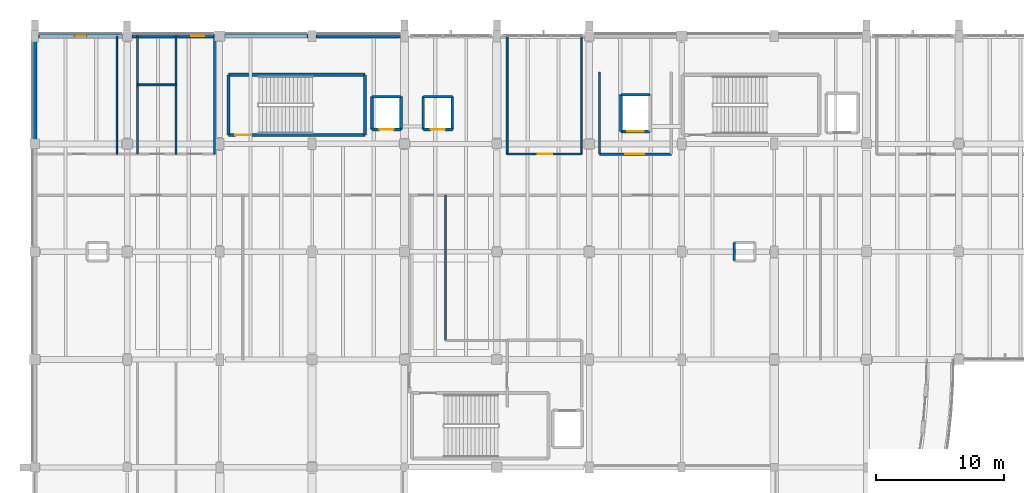
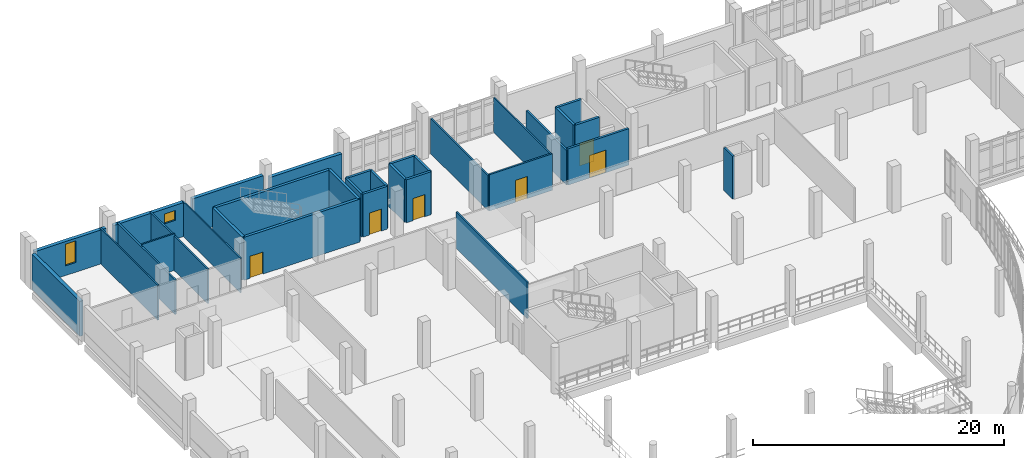
# One storey, part 110 of 124: 32 walls, 6 doors, 2 windows, 8 openings.
"""IFC4 building model written with IfcOpenShell, lengths in metres."""

from ifc_helpers import new_model, si_unit, direction, frame, frame_2d, origin, place, context, subcontext, project, spatial, rectangle, extrude, material, layer, layer_set, type_object, element, fill, save


model = new_model("IFC4")

# Units and contexts
model_context = context("Model", 3, precision=1e-05, world=origin(), true_north=direction((0.0, 1.0)))
body_context = subcontext(model_context, "Body", "Model", "MODEL_VIEW")
ifc_project = project(units=[si_unit("LENGTHUNIT", "METRE"), si_unit("AREAUNIT", "SQUARE_METRE"), si_unit("VOLUMEUNIT", "CUBIC_METRE"), si_unit("PLANEANGLEUNIT", "RADIAN"), si_unit("MASSUNIT", "GRAM", prefix="KILO")], contexts=[model_context])

# Site, building, storey
site_placement = place(None, origin())
site = spatial("IfcSite", under=ifc_project, at=site_placement, CompositionType="ELEMENT")
building_placement = place(site_placement, origin())
building = spatial("IfcBuilding", under=site, at=building_placement, Name="Kalluvel Institute of Natural Sciences", CompositionType="ELEMENT")
storey_placement = place(building_placement, frame((0.0, 0.0, 9.89990234375)))
storey = spatial("IfcBuildingStorey", under=building, at=storey_placement, Name="L02", CompositionType="ELEMENT", Elevation=9.89990234375)

# Wall, opening, door
ifc_material_1 = material(Name="Concrete M40", Category="concrete")
ifc_layer_1 = layer(ifc_material_1, 0.25)
ifc_layer_set_1 = layer_set([ifc_layer_1], Name="Concrete M40")
wall_type_1 = type_object("IfcWallType", Name="WL-CORE-250", PredefinedType="SHEAR", material=ifc_layer_set_1)
wall_1_placement = place(storey_placement, frame((29.0849609375, 120.284912109375, 0.0), z_axis=(0.0, 0.0, 1.0), x_axis=(1.0, 0.0, 0.0)))
wall_1 = element("IfcWall", 1, at=wall_1_placement, inside=storey, type_object=wall_type_1, Name="ST1 L02 core wall S", PredefinedType="SHEAR", context=body_context, shape_type="SweptSolid", body=[
    extrude(rectangle(XDim=10.630126953125, YDim=0.25, at=frame_2d((5.31494140625, 0.0))), origin(), (0.0, 0.0, 1.0), 4.175048828125),
])
opening_1_placement = place(wall_1_placement, frame((0.550048828125, 0.0, 0.0)))
opening_1 = element("IfcOpeningElement", 2, at=opening_1_placement, cuts=wall_1, Name="Opening DS-004", PredefinedType="OPENING", context=body_context, shape_type="SweptSolid", body=[
    extrude(rectangle(XDim=1.199951171875, YDim=2.14990234375, at=frame_2d((0.60009765625, 1.074951171875))), frame((0.0, 0.135009765625, 0.0), z_axis=(0.0, -1.0, 0.0), x_axis=(1.0, 0.0, 0.0)), (0.0, 0.0, 1.0), 0.27001953125),
])
ifc_material_2 = material(Name="Galvanized Fire-Rated Steel", Category="steel")
door_type_1 = type_object("IfcDoorType", Name="DR-ST-1200", OperationType="NOTDEFINED", PredefinedType="DOOR", material=ifc_material_2)
door_1_placement = place(opening_1_placement, origin())
door_1 = element("IfcDoor", 3, at=door_1_placement, inside=storey, type_object=door_type_1, Name="ST1 L02 protected stair door DS-004", OperationType="SINGLE_SWING_RIGHT", OverallHeight=2.14990234375, OverallWidth=1.199951171875, PredefinedType="DOOR", context=body_context, shape_type="SweptSolid", body=[
    extrude(rectangle(XDim=1.199951171875, YDim=2.14990234375, at=frame_2d((0.60009765625, 1.074951171875))), frame((0.0, 0.02490234375, 0.0), z_axis=(0.0, -1.0, 0.0), x_axis=(1.0, 0.0, 0.0)), (0.0, 0.0, 1.0), 0.050048828125),
])
fill(opening_1, door_1)

# Walls
wall_2_placement = place(storey_placement, frame((39.715087890625, 120.284912109375, 0.0), z_axis=(0.0, 0.0, 1.0), x_axis=(0.0, 1.0, 0.0)))
element("IfcWall", 4, at=wall_2_placement, inside=storey, type_object=wall_type_1, Name="ST1 L02 core wall E", PredefinedType="SHEAR", context=body_context, shape_type="SweptSolid", body=[
    extrude(rectangle(XDim=4.7001953125, YDim=0.25, at=frame_2d((2.35009765625, 0.0))), origin(), (0.0, 0.0, 1.0), 4.175048828125),
])
wall_3_placement = place(storey_placement, frame((39.715087890625, 124.985107421875, 0.0), z_axis=(0.0, 0.0, 1.0), x_axis=(-1.0, 0.0, 0.0)))
element("IfcWall", 5, at=wall_3_placement, inside=storey, type_object=wall_type_1, Name="ST1 L02 core wall N", PredefinedType="SHEAR", context=body_context, shape_type="SweptSolid", body=[
    extrude(rectangle(XDim=10.630126953125, YDim=0.25, at=frame_2d((5.31494140625, 0.0))), origin(), (0.0, 0.0, 1.0), 4.175048828125),
])
wall_4_placement = place(storey_placement, frame((29.0849609375, 124.985107421875, 0.0), z_axis=(0.0, 0.0, 1.0), x_axis=(0.0, -1.0, 0.0)))
element("IfcWall", 6, at=wall_4_placement, inside=storey, type_object=wall_type_1, Name="ST1 L02 core wall W", PredefinedType="SHEAR", context=body_context, shape_type="SweptSolid", body=[
    extrude(rectangle(XDim=4.7001953125, YDim=0.25, at=frame_2d((2.35009765625, 0.0))), origin(), (0.0, 0.0, 1.0), 4.175048828125),
])

# Wall, opening, window
ifc_material_3 = material(Name="Sadarahalli Grey Granite Ashlar Concrete M40", Category="masonry")
ifc_layer_2 = layer(ifc_material_3, 0.320068359375)
ifc_layer_set_2 = layer_set([ifc_layer_2], Name="Sadarahalli Grey Granite Ashlar Concrete M40")
wall_type_2 = type_object("IfcWallType", Name="WL-EXT-320", PredefinedType="SOLIDWALL", material=ifc_layer_set_2)
wall_5_placement = place(storey_placement, frame((14.280029296875, 128.0, 0.0), z_axis=(0.0, 0.0, 1.0), x_axis=(1.0, 0.0, 0.0)))
wall_5 = element("IfcWall", 7, at=wall_5_placement, inside=storey, type_object=wall_type_2, Name="L02 Sadarahalli granite exterior wall WL-EXT-L02-0028", PredefinedType="SOLIDWALL", context=body_context, shape_type="SweptSolid", body=[
    extrude(rectangle(XDim=6.56494140625, YDim=0.320068359375, at=frame_2d((3.282470703125, 0.0))), origin(), (0.0, 0.0, 1.0), 3.30517578125),
])
opening_2_placement = place(wall_5_placement, frame((2.8076171875, 0.0, 0.949951171875)))
opening_2 = element("IfcOpeningElement", 8, at=opening_2_placement, cuts=wall_5, Name="Opening W-15", PredefinedType="OPENING", context=body_context, shape_type="SweptSolid", body=[
    extrude(rectangle(XDim=0.949951171875, YDim=2.10009765625, at=frame_2d((0.47509765625, 1.050048828125))), frame((0.0, 0.169921875, 0.0), z_axis=(0.0, -1.0, 0.0), x_axis=(1.0, 0.0, 0.0)), (0.0, 0.0, 1.0), 0.340087890625),
])
ifc_material_4 = material(Name="Solar-Control Low-E Laminated Glass", Category="glass")
window_type_1 = type_object("IfcWindowType", Name="WN-LAN-095x210", PartitioningType="SINGLE_PANEL", PredefinedType="WINDOW", material=ifc_material_4)
window_1_placement = place(opening_2_placement, origin())
window_1 = element("IfcWindow", 9, at=window_1_placement, inside=storey, type_object=window_type_1, Name="L02 Gothic lancet window 15", OverallHeight=2.10009765625, OverallWidth=0.949951171875, PartitioningType="SINGLE_PANEL", PredefinedType="WINDOW", context=body_context, shape_type="SweptSolid", body=[
    extrude(rectangle(XDim=0.949951171875, YDim=2.10009765625, at=frame_2d((0.47509765625, 1.050048828125))), frame((0.0, 0.030029296875, 0.0), z_axis=(0.0, -1.0, 0.0), x_axis=(1.0, 0.0, 0.0)), (0.0, 0.0, 1.0), 0.06005859375),
])
fill(opening_2, window_1)

wall_6_placement = place(storey_placement, frame((21.554931640625, 128.0, 0.0), z_axis=(0.0, 0.0, 1.0), x_axis=(1.0, 0.0, 0.0)))
wall_6 = element("IfcWall", 10, at=wall_6_placement, inside=storey, type_object=wall_type_2, Name="L02 Sadarahalli granite exterior wall WL-EXT-L02-0029", PredefinedType="SOLIDWALL", context=body_context, shape_type="SweptSolid", body=[
    extrude(rectangle(XDim=6.465087890625, YDim=0.320068359375, at=frame_2d((3.232421875, 0.0))), origin(), (0.0, 0.0, 1.0), 3.30517578125),
])
opening_3_placement = place(wall_6_placement, frame((4.64990234375, 0.0, 1.85009765625)))
opening_3 = element("IfcOpeningElement", 11, at=opening_3_placement, cuts=wall_6, Name="Opening W-23", PredefinedType="OPENING", context=body_context, shape_type="SweptSolid", body=[
    extrude(rectangle(XDim=1.0, YDim=0.949951171875, at=frame_2d((0.5, 0.47509765625))), frame((0.0, 0.169921875, 0.0), z_axis=(0.0, -1.0, 0.0), x_axis=(1.0, 0.0, 0.0)), (0.0, 0.0, 1.0), 0.340087890625),
])
window_type_2 = type_object("IfcWindowType", Name="WN-HIGH-100x095", PartitioningType="SINGLE_PANEL", PredefinedType="WINDOW", material=ifc_material_4)
window_2_placement = place(opening_3_placement, origin())
window_2 = element("IfcWindow", 12, at=window_2_placement, inside=storey, type_object=window_type_2, Name="L02 Gothic lancet window 16", OverallHeight=0.949951171875, OverallWidth=1.0, PartitioningType="SINGLE_PANEL", PredefinedType="WINDOW", context=body_context, shape_type="SweptSolid", body=[
    extrude(rectangle(XDim=1.0, YDim=0.949951171875, at=frame_2d((0.5, 0.47509765625))), frame((0.0, 0.030029296875, 0.0), z_axis=(0.0, -1.0, 0.0), x_axis=(1.0, 0.0, 0.0)), (0.0, 0.0, 1.0), 0.06005859375),
])
fill(opening_3, window_2)

# Walls
wall_7_placement = place(storey_placement, frame((28.780029296875, 128.0, 0.0), z_axis=(0.0, 0.0, 1.0), x_axis=(1.0, 0.0, 0.0)))
element("IfcWall", 13, at=wall_7_placement, inside=storey, type_object=wall_type_2, Name="L02 Sadarahalli granite exterior wall WL-EXT-L02-0030", PredefinedType="SOLIDWALL", context=body_context, shape_type="SweptSolid", body=[
    extrude(rectangle(XDim=6.514892578125, YDim=0.320068359375, at=frame_2d((3.25732421875, 0.0))), origin(), (0.0, 0.0, 1.0), 3.35498046875),
])
wall_8_placement = place(storey_placement, frame((35.905029296875, 128.0, 0.0), z_axis=(0.0, 0.0, 1.0), x_axis=(1.0, 0.0, 0.0)))
element("IfcWall", 14, at=wall_8_placement, inside=storey, type_object=wall_type_2, Name="L02 Sadarahalli granite exterior wall WL-EXT-L02-0031", PredefinedType="SOLIDWALL", context=body_context, shape_type="SweptSolid", body=[
    extrude(rectangle(XDim=6.614990234375, YDim=0.320068359375, at=frame_2d((3.3076171875, 0.0))), origin(), (0.0, 0.0, 1.0), 2.955078125),
])
wall_9_placement = place(storey_placement, frame((14.0, 119.955078125, 0.0), z_axis=(0.0, 0.0, 1.0), x_axis=(0.0, 1.0, 0.0)))
element("IfcWall", 15, at=wall_9_placement, inside=storey, type_object=wall_type_2, Name="L02 Sadarahalli granite exterior wall WL-EXT-L02-0038", PredefinedType="SOLIDWALL", context=body_context, shape_type="SweptSolid", body=[
    extrude(rectangle(XDim=7.614990234375, YDim=0.320068359375, at=frame_2d((3.8076171875, 0.0))), origin(), (0.0, 0.0, 1.0), 3.405029296875),
])
ifc_material_5 = material(Name="Autoclaved Aerated Concrete Masonry Block", Category="masonry")
ifc_layer_3 = layer(ifc_material_5, 0.179931640625)
ifc_layer_set_3 = layer_set([ifc_layer_3], Name="Autoclaved Aerated Concrete Masonry Block")
wall_type_3 = type_object("IfcWallType", Name="WL-FIRE-180", PredefinedType="SOLIDWALL", material=ifc_layer_set_3)
wall_10_placement = place(storey_placement, frame((58.0, 118.800048828125, 0.0), z_axis=(0.0, 0.0, 1.0), x_axis=(0.0, 1.0, 0.0)))
element("IfcWall", 16, at=wall_10_placement, inside=storey, type_object=wall_type_3, Name="L02 interior fire wall WL-INT-L02-0127", PredefinedType="SOLIDWALL", context=body_context, shape_type="SweptSolid", body=[
    extrude(rectangle(XDim=6.39990234375, YDim=0.179931640625, at=frame_2d((3.199951171875, 0.0))), origin(), (0.0, 0.0, 1.0), 3.360107421875),
])

# Wall, opening, door
ifc_layer_4 = layer(ifc_material_5, 0.199951171875)
ifc_layer_set_4 = layer_set([ifc_layer_4], Name="Autoclaved Aerated Concrete Masonry Block")
wall_type_4 = type_object("IfcWallType", Name="WL-FIRE-200", PredefinedType="SOLIDWALL", material=ifc_layer_set_4)
wall_11_placement = place(storey_placement, frame((58.0, 118.800048828125, 0.0), z_axis=(0.0, 0.0, 1.0), x_axis=(1.0, 0.0, 0.0)))
wall_11 = element("IfcWall", 17, at=wall_11_placement, inside=storey, type_object=wall_type_4, Name="L02 interior fire wall WL-INT-L02-0126", PredefinedType="SOLIDWALL", context=body_context, shape_type="SweptSolid", body=[
    extrude(rectangle(XDim=5.60009765625, YDim=0.199951171875, at=frame_2d((2.800048828125, 0.0))), origin(), (0.0, 0.0, 1.0), 3.5400390625),
])
opening_4_placement = place(wall_11_placement, frame((2.0, 0.0, 0.0)))
opening_4 = element("IfcOpeningElement", 18, at=opening_4_placement, cuts=wall_11, Name="Opening D-121", PredefinedType="OPENING", context=body_context, shape_type="SweptSolid", body=[
    extrude(rectangle(XDim=1.5, YDim=2.199951171875, at=frame_2d((0.75, 1.10009765625))), frame((0.0, 0.10986328125, 0.0), z_axis=(0.0, -1.0, 0.0), x_axis=(1.0, 0.0, 0.0)), (0.0, 0.0, 1.0), 0.219970703125),
])
door_type_2 = type_object("IfcDoorType", Name="DR-FD60-1500", OperationType="NOTDEFINED", PredefinedType="DOOR", material=ifc_material_2)
door_2_placement = place(opening_4_placement, origin())
door_2 = element("IfcDoor", 19, at=door_2_placement, inside=storey, type_object=door_type_2, Name="L02 FF1 door D-121", OperationType="DOUBLE_DOOR_SINGLE_SWING", OverallHeight=2.199951171875, OverallWidth=1.5, PredefinedType="DOOR", context=body_context, shape_type="SweptSolid", body=[
    extrude(rectangle(XDim=1.5, YDim=2.199951171875, at=frame_2d((0.75, 1.10009765625))), frame((0.0, 0.02490234375, 0.0), z_axis=(0.0, -1.0, 0.0), x_axis=(1.0, 0.0, 0.0)), (0.0, 0.0, 1.0), 0.050048828125),
])
fill(opening_4, door_2)

# Walls
ifc_material_6 = material(Name="Acoustic Gypsum Twin-Stud Partition", Category="gypsum")
ifc_layer_5 = layer(ifc_material_6, 0.1201171875)
ifc_layer_set_5 = layer_set([ifc_layer_5], Name="Acoustic Gypsum Twin-Stud Partition")
wall_type_5 = type_object("IfcWallType", Name="WL-PART-120", PredefinedType="PARTITIONING", material=ifc_layer_set_5)
wall_12_placement = place(storey_placement, frame((20.39990234375, 118.800048828125, 0.0), z_axis=(0.0, 0.0, 1.0), x_axis=(0.0, 1.0, 0.0)))
element("IfcWall", 20, at=wall_12_placement, inside=storey, type_object=wall_type_5, Name="L02 interior partition wall WL-INT-L02-0137", PredefinedType="PARTITIONING", context=body_context, shape_type="SweptSolid", body=[
    extrude(rectangle(XDim=9.199951171875, YDim=0.1201171875, at=frame_2d((4.60009765625, 0.0))), origin(), (0.0, 0.0, 1.0), 3.41015625),
])
wall_13_placement = place(storey_placement, frame((28.0, 118.800048828125, 0.0), z_axis=(0.0, 0.0, 1.0), x_axis=(0.0, 1.0, 0.0)))
element("IfcWall", 21, at=wall_13_placement, inside=storey, type_object=wall_type_5, Name="L02 interior partition wall WL-INT-L02-0140", PredefinedType="PARTITIONING", context=body_context, shape_type="SweptSolid", body=[
    extrude(rectangle(XDim=9.199951171875, YDim=0.1201171875, at=frame_2d((4.60009765625, 0.0))), origin(), (0.0, 0.0, 1.0), 3.360107421875),
])
wall_14_placement = place(storey_placement, frame((56.60009765625, 118.800048828125, 0.0), z_axis=(0.0, 0.0, 1.0), x_axis=(0.0, 1.0, 0.0)))
element("IfcWall", 22, at=wall_14_placement, inside=storey, type_object=wall_type_5, Name="L02 interior partition wall WL-INT-L02-0143", PredefinedType="PARTITIONING", context=body_context, shape_type="SweptSolid", body=[
    extrude(rectangle(XDim=9.199951171875, YDim=0.1201171875, at=frame_2d((4.60009765625, 0.0))), origin(), (0.0, 0.0, 1.0), 3.41015625),
])
ifc_layer_6 = layer(ifc_material_6, 0.139892578125)
ifc_layer_set_6 = layer_set([ifc_layer_6], Name="Acoustic Gypsum Twin-Stud Partition")
wall_type_6 = type_object("IfcWallType", Name="WL-PART-140", PredefinedType="PARTITIONING", material=ifc_layer_set_6)
wall_15_placement = place(storey_placement, frame((46.0, 104.300048828125, 0.0), z_axis=(0.0, 0.0, 1.0), x_axis=(0.0, 1.0, 0.0)))
element("IfcWall", 23, at=wall_15_placement, inside=storey, type_object=wall_type_6, Name="L02 interior partition wall WL-INT-L02-0133", PredefinedType="PARTITIONING", context=body_context, shape_type="SweptSolid", body=[
    extrude(rectangle(XDim=11.300048828125, YDim=0.139892578125, at=frame_2d((5.64990234375, 0.0))), origin(), (0.0, 0.0, 1.0), 3.52001953125),
])
wall_16_placement = place(storey_placement, frame((22.0, 124.199951171875, 0.0), z_axis=(0.0, 0.0, 1.0), x_axis=(1.0, 0.0, 0.0)))
element("IfcWall", 24, at=wall_16_placement, inside=storey, type_object=wall_type_6, Name="L02 interior partition wall WL-INT-L02-0136", PredefinedType="PARTITIONING", context=body_context, shape_type="SweptSolid", body=[
    extrude(rectangle(XDim=3.0, YDim=0.139892578125, at=frame_2d((1.5, 0.0))), origin(), (0.0, 0.0, 1.0), 3.56005859375),
])
wall_17_placement = place(storey_placement, frame((25.0, 118.800048828125, 0.0), z_axis=(0.0, 0.0, 1.0), x_axis=(0.0, 1.0, 0.0)))
element("IfcWall", 25, at=wall_17_placement, inside=storey, type_object=wall_type_6, Name="L02 interior partition wall WL-INT-L02-0139", PredefinedType="PARTITIONING", context=body_context, shape_type="SweptSolid", body=[
    extrude(rectangle(XDim=9.199951171875, YDim=0.139892578125, at=frame_2d((4.60009765625, 0.0))), origin(), (0.0, 0.0, 1.0), 3.360107421875),
])
wall_18_placement = place(storey_placement, frame((50.800048828125, 118.800048828125, 0.0), z_axis=(0.0, 0.0, 1.0), x_axis=(0.0, 1.0, 0.0)))
element("IfcWall", 26, at=wall_18_placement, inside=storey, type_object=wall_type_6, Name="L02 interior partition wall WL-INT-L02-0142", PredefinedType="PARTITIONING", context=body_context, shape_type="SweptSolid", body=[
    extrude(rectangle(XDim=9.199951171875, YDim=0.139892578125, at=frame_2d((4.60009765625, 0.0))), origin(), (0.0, 0.0, 1.0), 3.41015625),
])
ifc_layer_7 = layer(ifc_material_5, 0.159912109375)
ifc_layer_set_7 = layer_set([ifc_layer_7], Name="Autoclaved Aerated Concrete Masonry Block")
wall_type_7 = type_object("IfcWallType", Name="WL-PART-160", PredefinedType="PARTITIONING", material=ifc_layer_set_7)
wall_19_placement = place(storey_placement, frame((22.0, 118.800048828125, 0.0), z_axis=(0.0, 0.0, 1.0), x_axis=(0.0, 1.0, 0.0)))
element("IfcWall", 27, at=wall_19_placement, inside=storey, type_object=wall_type_7, Name="L02 interior partition wall WL-INT-L02-0138", PredefinedType="PARTITIONING", context=body_context, shape_type="SweptSolid", body=[
    extrude(rectangle(XDim=9.199951171875, YDim=0.159912109375, at=frame_2d((4.60009765625, 0.0))), origin(), (0.0, 0.0, 1.0), 3.360107421875),
])

# Wall, opening, door
wall_20_placement = place(storey_placement, frame((50.800048828125, 118.800048828125, 0.0), z_axis=(0.0, 0.0, 1.0), x_axis=(1.0, 0.0, 0.0)))
wall_20 = element("IfcWall", 28, at=wall_20_placement, inside=storey, type_object=wall_type_7, Name="L02 interior partition wall WL-INT-L02-0141", PredefinedType="PARTITIONING", context=body_context, shape_type="SweptSolid", body=[
    extrude(rectangle(XDim=5.800048828125, YDim=0.159912109375, at=frame_2d((2.89990234375, 0.0))), origin(), (0.0, 0.0, 1.0), 3.5400390625),
])
opening_5_placement = place(wall_20_placement, frame((2.39990234375, 0.0, 0.0)))
opening_5 = element("IfcOpeningElement", 29, at=opening_5_placement, cuts=wall_20, Name="Opening D-127", PredefinedType="OPENING", context=body_context, shape_type="SweptSolid", body=[
    extrude(rectangle(XDim=1.10009765625, YDim=2.14990234375, at=frame_2d((0.550048828125, 1.074951171875))), frame((0.0, 0.08984375, 0.0), z_axis=(0.0, -1.0, 0.0), x_axis=(1.0, 0.0, 0.0)), (0.0, 0.0, 1.0), 0.179931640625),
])
ifc_material_7 = material(Name="Engineered Hardwood Acoustic Leaf", Category="wood")
door_type_3 = type_object("IfcDoorType", Name="DR-INT-1100", OperationType="NOTDEFINED", PredefinedType="DOOR", material=ifc_material_7)
door_3_placement = place(opening_5_placement, origin())
door_3 = element("IfcDoor", 30, at=door_3_placement, inside=storey, type_object=door_type_3, Name="L02 North Write-Up door D-127", OperationType="SINGLE_SWING_RIGHT", OverallHeight=2.14990234375, OverallWidth=1.10009765625, PredefinedType="DOOR", context=body_context, shape_type="SweptSolid", body=[
    extrude(rectangle(XDim=1.10009765625, YDim=2.14990234375, at=frame_2d((0.550048828125, 1.074951171875))), frame((0.0, 0.02490234375, 0.0), z_axis=(0.0, -1.0, 0.0), x_axis=(1.0, 0.0, 0.0)), (0.0, 0.0, 1.0), 0.050048828125),
])
fill(opening_5, door_3)

# Wall
ifc_layer_8 = layer(ifc_material_1, 0.199951171875)
ifc_layer_set_8 = layer_set([ifc_layer_8], Name="Concrete M40")
wall_type_8 = type_object("IfcWallType", Name="WL-RISER-200", PredefinedType="SHEAR", material=ifc_layer_set_8)
wall_21_placement = place(storey_placement, frame((68.5, 111.89990234375, 0.0), z_axis=(0.0, 0.0, 1.0), x_axis=(0.0, -1.0, 0.0)))
element("IfcWall", 31, at=wall_21_placement, inside=storey, type_object=wall_type_8, Name="RS-WET-E L02 service riser enclosure W", PredefinedType="SHEAR", context=body_context, shape_type="SweptSolid", body=[
    extrude(rectangle(XDim=1.39990234375, YDim=0.199951171875, at=frame_2d((0.699951171875, 0.0))), origin(), (0.0, 0.0, 1.0), 4.14013671875),
])

# Wall, opening, door
ifc_layer_9 = layer(ifc_material_1, 0.219970703125)
ifc_layer_set_9 = layer_set([ifc_layer_9], Name="Concrete M40")
wall_type_9 = type_object("IfcWallType", Name="WL-SHAFT-220", PredefinedType="SHEAR", material=ifc_layer_set_9)
wall_22_placement = place(storey_placement, frame((40.27001953125, 120.719970703125, 0.0), z_axis=(0.0, 0.0, 1.0), x_axis=(1.0, 0.0, 0.0)))
wall_22 = element("IfcWall", 32, at=wall_22_placement, inside=storey, type_object=wall_type_9, Name="LF1 L02 lift shaft wall", PredefinedType="SHEAR", context=body_context, shape_type="SweptSolid", body=[
    extrude(rectangle(XDim=2.260009765625, YDim=0.219970703125, at=frame_2d((1.1298828125, 0.0))), origin(), (0.0, 0.0, 1.0), 4.175048828125),
])
opening_6_placement = place(wall_22_placement, frame((0.580078125, 0.0, 0.0)))
opening_6 = element("IfcOpeningElement", 33, at=opening_6_placement, cuts=wall_22, Name="Opening LD-004", PredefinedType="OPENING", context=body_context, shape_type="SweptSolid", body=[
    extrude(rectangle(XDim=1.10009765625, YDim=2.14990234375, at=frame_2d((0.550048828125, 1.074951171875))), frame((0.0, 0.119873046875, 0.0), z_axis=(0.0, -1.0, 0.0), x_axis=(1.0, 0.0, 0.0)), (0.0, 0.0, 1.0), 0.239990234375),
])
door_type_4 = type_object("IfcDoorType", Name="DR-LD-1100", OperationType="NOTDEFINED", PredefinedType="DOOR", material=ifc_material_2)
door_4_placement = place(opening_6_placement, origin())
door_4 = element("IfcDoor", 34, at=door_4_placement, inside=storey, type_object=door_type_4, Name="LF1 L02 sliding lift landing door LD-004", OperationType="DOUBLE_DOOR_SLIDING", OverallHeight=2.14990234375, OverallWidth=1.10009765625, PredefinedType="DOOR", context=body_context, shape_type="SweptSolid", body=[
    extrude(rectangle(XDim=1.10009765625, YDim=2.14990234375, at=frame_2d((0.550048828125, 1.074951171875))), frame((0.0, 0.02490234375, 0.0), z_axis=(0.0, -1.0, 0.0), x_axis=(1.0, 0.0, 0.0)), (0.0, 0.0, 1.0), 0.050048828125),
])
fill(opening_6, door_4)

# Walls
wall_23_placement = place(storey_placement, frame((42.530029296875, 120.719970703125, 0.0), z_axis=(0.0, 0.0, 1.0), x_axis=(0.0, 1.0, 0.0)))
element("IfcWall", 35, at=wall_23_placement, inside=storey, type_object=wall_type_9, Name="LF1 L02 lift shaft wall", PredefinedType="SHEAR", context=body_context, shape_type="SweptSolid", body=[
    extrude(rectangle(XDim=2.56005859375, YDim=0.219970703125, at=frame_2d((1.280029296875, 0.0))), origin(), (0.0, 0.0, 1.0), 4.175048828125),
])
wall_24_placement = place(storey_placement, frame((42.530029296875, 123.280029296875, 0.0), z_axis=(0.0, 0.0, 1.0), x_axis=(-1.0, 0.0, 0.0)))
element("IfcWall", 36, at=wall_24_placement, inside=storey, type_object=wall_type_9, Name="LF1 L02 lift shaft wall", PredefinedType="SHEAR", context=body_context, shape_type="SweptSolid", body=[
    extrude(rectangle(XDim=2.260009765625, YDim=0.219970703125, at=frame_2d((1.1298828125, 0.0))), origin(), (0.0, 0.0, 1.0), 4.175048828125),
])
wall_25_placement = place(storey_placement, frame((40.27001953125, 123.280029296875, 0.0), z_axis=(0.0, 0.0, 1.0), x_axis=(0.0, -1.0, 0.0)))
element("IfcWall", 37, at=wall_25_placement, inside=storey, type_object=wall_type_9, Name="LF1 L02 lift shaft wall", PredefinedType="SHEAR", context=body_context, shape_type="SweptSolid", body=[
    extrude(rectangle(XDim=2.56005859375, YDim=0.219970703125, at=frame_2d((1.280029296875, 0.0))), origin(), (0.0, 0.0, 1.0), 4.175048828125),
])

# Wall, opening, door
wall_26_placement = place(storey_placement, frame((44.27001953125, 120.719970703125, 0.0), z_axis=(0.0, 0.0, 1.0), x_axis=(1.0, 0.0, 0.0)))
wall_26 = element("IfcWall", 38, at=wall_26_placement, inside=storey, type_object=wall_type_9, Name="LF2 L02 lift shaft wall", PredefinedType="SHEAR", context=body_context, shape_type="SweptSolid", body=[
    extrude(rectangle(XDim=2.260009765625, YDim=0.219970703125, at=frame_2d((1.1298828125, 0.0))), origin(), (0.0, 0.0, 1.0), 4.175048828125),
])
opening_7_placement = place(wall_26_placement, frame((0.580078125, 0.0, 0.0)))
opening_7 = element("IfcOpeningElement", 39, at=opening_7_placement, cuts=wall_26, Name="Opening LD-014", PredefinedType="OPENING", context=body_context, shape_type="SweptSolid", body=[
    extrude(rectangle(XDim=1.10009765625, YDim=2.14990234375, at=frame_2d((0.550048828125, 1.074951171875))), frame((0.0, 0.119873046875, 0.0), z_axis=(0.0, -1.0, 0.0), x_axis=(1.0, 0.0, 0.0)), (0.0, 0.0, 1.0), 0.239990234375),
])
door_5_placement = place(opening_7_placement, origin())
door_5 = element("IfcDoor", 40, at=door_5_placement, inside=storey, type_object=door_type_4, Name="LF2 L02 sliding lift landing door LD-014", OperationType="DOUBLE_DOOR_SLIDING", OverallHeight=2.14990234375, OverallWidth=1.10009765625, PredefinedType="DOOR", context=body_context, shape_type="SweptSolid", body=[
    extrude(rectangle(XDim=1.10009765625, YDim=2.14990234375, at=frame_2d((0.550048828125, 1.074951171875))), frame((0.0, 0.02490234375, 0.0), z_axis=(0.0, -1.0, 0.0), x_axis=(1.0, 0.0, 0.0)), (0.0, 0.0, 1.0), 0.050048828125),
])
fill(opening_7, door_5)

# Walls
wall_27_placement = place(storey_placement, frame((46.530029296875, 120.719970703125, 0.0), z_axis=(0.0, 0.0, 1.0), x_axis=(0.0, 1.0, 0.0)))
element("IfcWall", 41, at=wall_27_placement, inside=storey, type_object=wall_type_9, Name="LF2 L02 lift shaft wall", PredefinedType="SHEAR", context=body_context, shape_type="SweptSolid", body=[
    extrude(rectangle(XDim=2.56005859375, YDim=0.219970703125, at=frame_2d((1.280029296875, 0.0))), origin(), (0.0, 0.0, 1.0), 4.175048828125),
])
wall_28_placement = place(storey_placement, frame((46.530029296875, 123.280029296875, 0.0), z_axis=(0.0, 0.0, 1.0), x_axis=(-1.0, 0.0, 0.0)))
element("IfcWall", 42, at=wall_28_placement, inside=storey, type_object=wall_type_9, Name="LF2 L02 lift shaft wall", PredefinedType="SHEAR", context=body_context, shape_type="SweptSolid", body=[
    extrude(rectangle(XDim=2.260009765625, YDim=0.219970703125, at=frame_2d((1.1298828125, 0.0))), origin(), (0.0, 0.0, 1.0), 4.175048828125),
])
wall_29_placement = place(storey_placement, frame((44.27001953125, 123.280029296875, 0.0), z_axis=(0.0, 0.0, 1.0), x_axis=(0.0, -1.0, 0.0)))
element("IfcWall", 43, at=wall_29_placement, inside=storey, type_object=wall_type_9, Name="LF2 L02 lift shaft wall", PredefinedType="SHEAR", context=body_context, shape_type="SweptSolid", body=[
    extrude(rectangle(XDim=2.56005859375, YDim=0.219970703125, at=frame_2d((1.280029296875, 0.0))), origin(), (0.0, 0.0, 1.0), 4.175048828125),
])

# Wall, opening, door
wall_30_placement = place(storey_placement, frame((59.669921875, 120.570068359375, 0.0), z_axis=(0.0, 0.0, 1.0), x_axis=(1.0, 0.0, 0.0)))
wall_30 = element("IfcWall", 44, at=wall_30_placement, inside=storey, type_object=wall_type_9, Name="LF3 L02 lift shaft wall", PredefinedType="SHEAR", context=body_context, shape_type="SweptSolid", body=[
    extrude(rectangle(XDim=2.260009765625, YDim=0.219970703125, at=frame_2d((1.1298828125, 0.0))), origin(), (0.0, 0.0, 1.0), 4.175048828125),
])
opening_8_placement = place(wall_30_placement, frame((0.47998046875, 0.0, 0.0)))
opening_8 = element("IfcOpeningElement", 45, at=opening_8_placement, cuts=wall_30, Name="Opening LD-024", PredefinedType="OPENING", context=body_context, shape_type="SweptSolid", body=[
    extrude(rectangle(XDim=1.300048828125, YDim=2.199951171875, at=frame_2d((0.64990234375, 1.10009765625))), frame((0.0, 0.119873046875, 0.0), z_axis=(0.0, -1.0, 0.0), x_axis=(1.0, 0.0, 0.0)), (0.0, 0.0, 1.0), 0.239990234375),
])
door_type_5 = type_object("IfcDoorType", Name="DR-LD-1300", OperationType="NOTDEFINED", PredefinedType="DOOR", material=ifc_material_2)
door_6_placement = place(opening_8_placement, origin())
door_6 = element("IfcDoor", 46, at=door_6_placement, inside=storey, type_object=door_type_5, Name="LF3 L02 sliding lift landing door LD-024", OperationType="DOUBLE_DOOR_SLIDING", OverallHeight=2.199951171875, OverallWidth=1.300048828125, PredefinedType="DOOR", context=body_context, shape_type="SweptSolid", body=[
    extrude(rectangle(XDim=1.300048828125, YDim=2.199951171875, at=frame_2d((0.64990234375, 1.10009765625))), frame((0.0, 0.02490234375, 0.0), z_axis=(0.0, -1.0, 0.0), x_axis=(1.0, 0.0, 0.0)), (0.0, 0.0, 1.0), 0.050048828125),
])
fill(opening_8, door_6)

# Walls
wall_31_placement = place(storey_placement, frame((61.929931640625, 123.429931640625, 0.0), z_axis=(0.0, 0.0, 1.0), x_axis=(-1.0, 0.0, 0.0)))
element("IfcWall", 47, at=wall_31_placement, inside=storey, type_object=wall_type_9, Name="LF3 L02 lift shaft wall", PredefinedType="SHEAR", context=body_context, shape_type="SweptSolid", body=[
    extrude(rectangle(XDim=2.260009765625, YDim=0.219970703125, at=frame_2d((1.1298828125, 0.0))), origin(), (0.0, 0.0, 1.0), 4.175048828125),
])
wall_32_placement = place(storey_placement, frame((59.669921875, 123.429931640625, 0.0), z_axis=(0.0, 0.0, 1.0), x_axis=(0.0, -1.0, 0.0)))
element("IfcWall", 48, at=wall_32_placement, inside=storey, type_object=wall_type_9, Name="LF3 L02 lift shaft wall", PredefinedType="SHEAR", context=body_context, shape_type="SweptSolid", body=[
    extrude(rectangle(XDim=2.85986328125, YDim=0.219970703125, at=frame_2d((1.429931640625, 0.0))), origin(), (0.0, 0.0, 1.0), 4.175048828125),
])

save(model, "model.ifc")
